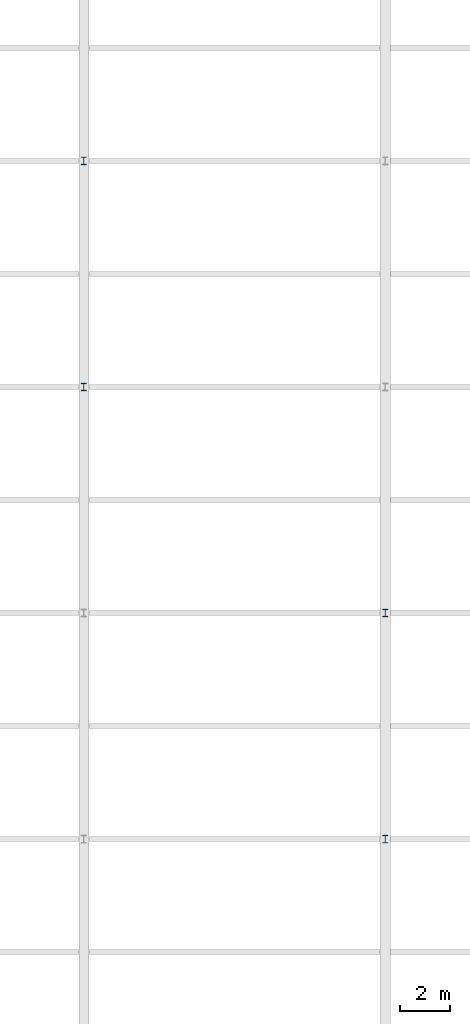
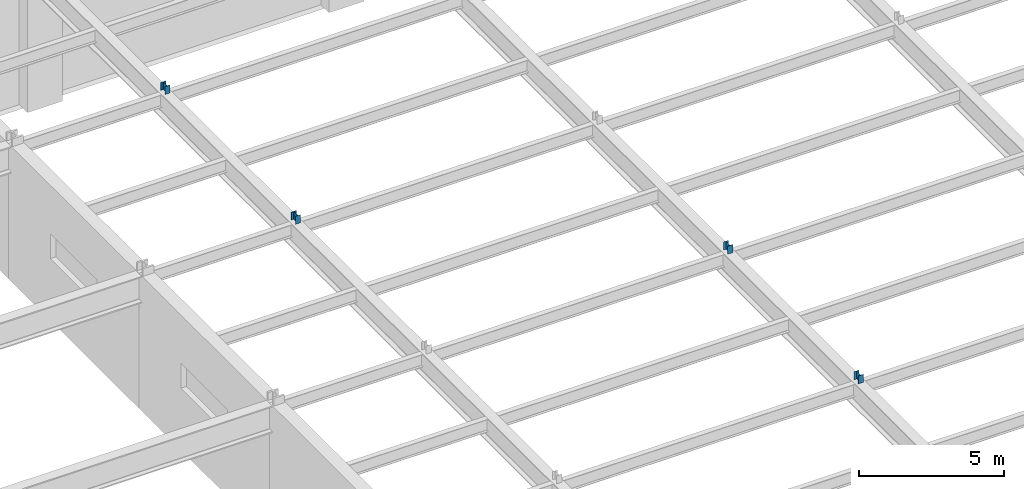
# One storey, part 72 of 105: 4 members.
"""IFC4 building model written with IfcOpenShell, lengths in metres."""

from ifc_helpers import new_model, si_unit, direction, frame, origin, origin_2d, place, context, subcontext, project, spatial, i_section, extrude, material, material_profile, profile_set, type_object, element, save


model = new_model("IFC4")

# Units and contexts
model_context = context("Model", 3, precision=1e-05, world=origin(), true_north=direction((0.0, 1.0)))
body_context = subcontext(model_context, "Body", "Model", "MODEL_VIEW")
ifc_project = project(units=[si_unit("LENGTHUNIT", "METRE"), si_unit("AREAUNIT", "SQUARE_METRE"), si_unit("VOLUMEUNIT", "CUBIC_METRE"), si_unit("PLANEANGLEUNIT", "RADIAN"), si_unit("MASSUNIT", "GRAM", prefix="KILO")], contexts=[model_context])

# Site, building, storey
site_placement = place(None, origin())
site = spatial("IfcSite", under=ifc_project, at=site_placement, CompositionType="ELEMENT")
building_placement = place(site_placement, origin())
building = spatial("IfcBuilding", under=site, at=building_placement, Name="Kaldorvane Square Convention Centre", CompositionType="ELEMENT")
storey_placement = place(building_placement, frame((0.0, 0.0, 6.0)))
storey = spatial("IfcBuildingStorey", under=building, at=storey_placement, Name="L01", CompositionType="ELEMENT", Elevation=6.0)

# Members
ifc_material = material(Name="Steel ASTM A992 Gr. 50", Category="steel")
ifc_material_profile = material_profile(ifc_material, i_section(OverallWidth=0.2032928466796875, OverallDepth=0.3032989501953125, WebThickness=0.00750732421875, FlangeThickness=0.0131072998046875, FilletRadius=0.01019287109375, at=origin_2d()), Name="W12X40")
ifc_profile_set = profile_set([ifc_material_profile], Name="Steel ASTM A992 Gr. 50")
member_type = type_object("IfcMemberType", Name="MB-HG-W12X40", PredefinedType="POST", material=ifc_profile_set)
for number, where, z_axis, x_axis, name in (
    (1, (30.0, 54.0, 5.675994873046875), (0.0, 0.0, 1.0), (1.0, 0.0, 0.0), "Exhibition Hall Ceiling Girder HG-01 Hanger 4"),
    (2, (30.0, 63.0, 5.675994873046875), (0.0, 0.0, 1.0), (1.0, 0.0, 0.0), "Exhibition Hall Ceiling Girder HG-01 Hanger 5"),
    (3, (42.0, 36.0, 5.675994873046875), (0.0, 0.0, 1.0), (1.0, 0.0, 0.0), "Exhibition Hall Ceiling Girder HG-02 Hanger 2"),
    (4, (42.0, 45.0, 5.675994873046875), (0.0, 0.0, 1.0), (1.0, 0.0, 0.0), "Exhibition Hall Ceiling Girder HG-02 Hanger 3"),
):
    element("IfcMember", number, at=place(storey_placement, frame(where, z_axis=z_axis, x_axis=x_axis)), inside=storey, type_object=member_type, Name=name, PredefinedType="POST", context=body_context, shape_type="SweptSolid", body=[
        extrude(i_section(OverallWidth=0.2032928466796875, OverallDepth=0.3032989501953125, WebThickness=0.00750732421875, FlangeThickness=0.0131072998046875, FilletRadius=0.01019287109375, at=origin_2d()), origin(), (0.0, 0.0, 1.0), 0.3332977294921875),
    ])

save(model, "model.ifc")
